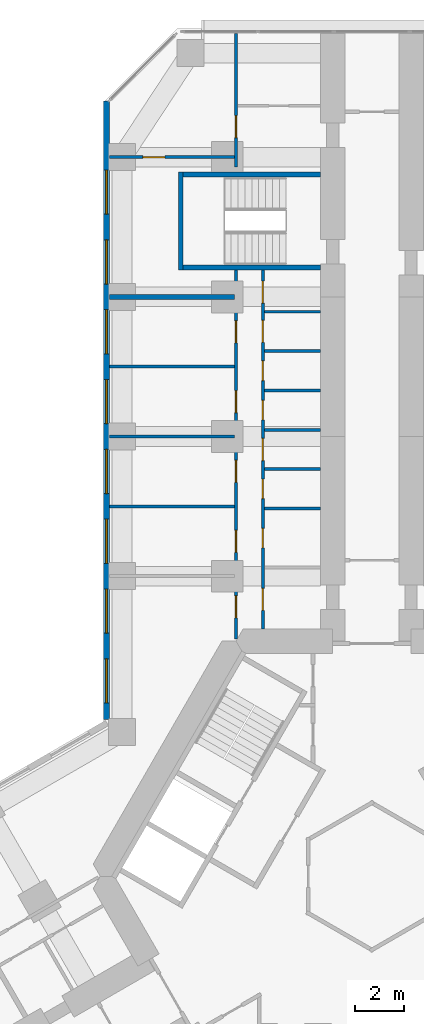
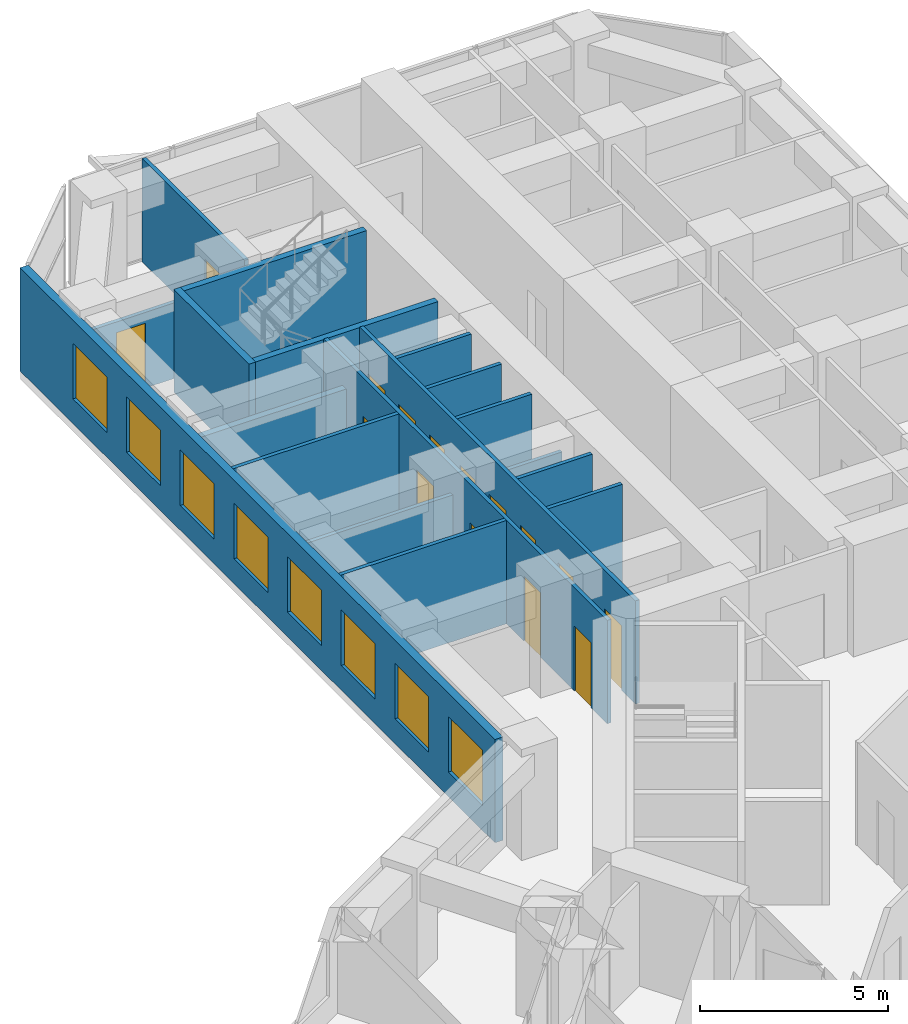
# One storey, part 17 of 21: 18 walls, 15 doors, 8 windows, 23 openings.
"""IFC4 building model written with IfcOpenShell, lengths in metres."""

from ifc_helpers import new_model, si_unit, direction, frame, frame_2d, origin, place, context, subcontext, project, spatial, rectangle, extrude, material, layer, layer_set, type_object, element, fill, save


model = new_model("IFC4")

# Units and contexts
model_context = context("Model", 3, precision=1e-05, world=origin(), true_north=direction((0.0, 1.0)))
body_context = subcontext(model_context, "Body", "Model", "MODEL_VIEW")
ifc_project = project(units=[si_unit("LENGTHUNIT", "METRE"), si_unit("AREAUNIT", "SQUARE_METRE"), si_unit("VOLUMEUNIT", "CUBIC_METRE"), si_unit("PLANEANGLEUNIT", "RADIAN"), si_unit("MASSUNIT", "GRAM", prefix="KILO")], contexts=[model_context])

# Site, building, storey
site_placement = place(None, origin())
site = spatial("IfcSite", under=ifc_project, at=site_placement, CompositionType="ELEMENT")
building_placement = place(site_placement, origin())
building = spatial("IfcBuilding", under=site, at=building_placement, Name="Kosmar Iwan School Tower", CompositionType="ELEMENT")
storey_placement = place(building_placement, frame((0.0, 0.0, 39.39990234375)))
storey = spatial("IfcBuildingStorey", under=building, at=storey_placement, Name="L08", CompositionType="ELEMENT", Elevation=39.39990234375)

# Wall, openings, doors
ifc_material_1 = material(Name="Gypsum board on steel studs", Category="steel")
ifc_layer_1 = layer(ifc_material_1, 0.1201171875)
ifc_layer_set_1 = layer_set([ifc_layer_1], Name="Dwelling partition 120")
wall_type_1 = type_object("IfcWallType", Name="Dwelling partition 120", PredefinedType="PARTITIONING", material=ifc_layer_set_1)
wall_1_placement = place(storey_placement, frame((-4.449951171875, 10.10009765625, 0.0), z_axis=(0.0, 0.0, 1.0), x_axis=(0.0, 1.0, 0.0)))
wall_1 = element("IfcWall", 1, at=wall_1_placement, inside=storey, type_object=wall_type_1, Name="Partition L08-AL1-W1", PredefinedType="PARTITIONING", context=body_context, shape_type="SweptSolid", body=[
    extrude(rectangle(XDim=14.64990234375, YDim=0.1201171875, at=frame_2d((7.324951171875, 0.0))), origin(), (0.0, 0.0, 1.0), 3.35009765625),
])
opening_1_placement = place(wall_1_placement, frame((0.75, 0.0, 0.0)))
opening_1 = element("IfcOpeningElement", 2, at=opening_1_placement, cuts=wall_1, Name="Opening D2", PredefinedType="OPENING", context=body_context, shape_type="SweptSolid", body=[
    extrude(rectangle(XDim=0.89990234375, YDim=2.10009765625, at=frame_2d((0.449951171875, 1.050048828125))), frame((0.0, 0.072021484375, 0.0), z_axis=(0.0, -1.0, 0.0), x_axis=(1.0, 0.0, 0.0)), (0.0, 0.0, 1.0), 0.14404296875),
])
opening_2_placement = place(wall_1_placement, frame((3.304931640625, 0.0, 0.0)))
opening_2 = element("IfcOpeningElement", 3, at=opening_2_placement, cuts=wall_1, Name="Opening D3", PredefinedType="OPENING", context=body_context, shape_type="SweptSolid", body=[
    extrude(rectangle(XDim=0.800048828125, YDim=2.10009765625, at=frame_2d((0.39990234375, 1.050048828125))), frame((0.0, 0.072021484375, 0.0), z_axis=(0.0, -1.0, 0.0), x_axis=(1.0, 0.0, 0.0)), (0.0, 0.0, 1.0), 0.14404296875),
])
opening_3_placement = place(wall_1_placement, frame((5.313232421875, 0.0, 0.0)))
opening_3 = element("IfcOpeningElement", 4, at=opening_3_placement, cuts=wall_1, Name="Opening D3", PredefinedType="OPENING", context=body_context, shape_type="SweptSolid", body=[
    extrude(rectangle(XDim=0.800048828125, YDim=2.10009765625, at=frame_2d((0.39990234375, 1.050048828125))), frame((0.0, 0.072021484375, 0.0), z_axis=(0.0, -1.0, 0.0), x_axis=(1.0, 0.0, 0.0)), (0.0, 0.0, 1.0), 0.14404296875),
])
opening_4_placement = place(wall_1_placement, frame((6.8701171875, 0.0, 0.0)))
opening_4 = element("IfcOpeningElement", 5, at=opening_4_placement, cuts=wall_1, Name="Opening D2", PredefinedType="OPENING", context=body_context, shape_type="SweptSolid", body=[
    extrude(rectangle(XDim=0.89990234375, YDim=2.10009765625, at=frame_2d((0.449951171875, 1.050048828125))), frame((0.0, 0.072021484375, 0.0), z_axis=(0.0, -1.0, 0.0), x_axis=(1.0, 0.0, 0.0)), (0.0, 0.0, 1.0), 0.14404296875),
])
opening_5_placement = place(wall_1_placement, frame((8.526611328125, 0.0, 0.0)))
opening_5 = element("IfcOpeningElement", 6, at=opening_5_placement, cuts=wall_1, Name="Opening D3", PredefinedType="OPENING", context=body_context, shape_type="SweptSolid", body=[
    extrude(rectangle(XDim=0.800048828125, YDim=2.10009765625, at=frame_2d((0.39990234375, 1.050048828125))), frame((0.0, 0.072021484375, 0.0), z_axis=(0.0, -1.0, 0.0), x_axis=(1.0, 0.0, 0.0)), (0.0, 0.0, 1.0), 0.14404296875),
])
opening_6_placement = place(wall_1_placement, frame((10.13330078125, 0.0, 0.0)))
opening_6 = element("IfcOpeningElement", 7, at=opening_6_placement, cuts=wall_1, Name="Opening D3", PredefinedType="OPENING", context=body_context, shape_type="SweptSolid", body=[
    extrude(rectangle(XDim=0.800048828125, YDim=2.10009765625, at=frame_2d((0.39990234375, 1.050048828125))), frame((0.0, 0.072021484375, 0.0), z_axis=(0.0, -1.0, 0.0), x_axis=(1.0, 0.0, 0.0)), (0.0, 0.0, 1.0), 0.14404296875),
])
opening_7_placement = place(wall_1_placement, frame((11.68994140625, 0.0, 0.0)))
opening_7 = element("IfcOpeningElement", 8, at=opening_7_placement, cuts=wall_1, Name="Opening D2", PredefinedType="OPENING", context=body_context, shape_type="SweptSolid", body=[
    extrude(rectangle(XDim=0.89990234375, YDim=2.10009765625, at=frame_2d((0.449951171875, 1.050048828125))), frame((0.0, 0.072021484375, 0.0), z_axis=(0.0, -1.0, 0.0), x_axis=(1.0, 0.0, 0.0)), (0.0, 0.0, 1.0), 0.14404296875),
])
opening_8_placement = place(wall_1_placement, frame((13.296630859375, 0.0, 0.0)))
opening_8 = element("IfcOpeningElement", 9, at=opening_8_placement, cuts=wall_1, Name="Opening D2", PredefinedType="OPENING", context=body_context, shape_type="SweptSolid", body=[
    extrude(rectangle(XDim=0.89990234375, YDim=2.10009765625, at=frame_2d((0.449951171875, 1.050048828125))), frame((0.0, 0.072021484375, 0.0), z_axis=(0.0, -1.0, 0.0), x_axis=(1.0, 0.0, 0.0)), (0.0, 0.0, 1.0), 0.14404296875),
])
ifc_material_2 = material(Name="Timber door in timber frame", Category="wood")
door_type_1 = type_object("IfcDoorType", Name="Internal door 900x2100", OperationType="SINGLE_SWING_LEFT", PredefinedType="DOOR", material=ifc_material_2)
door_1_placement = place(opening_1_placement, origin())
door_1 = element("IfcDoor", 10, at=door_1_placement, inside=storey, type_object=door_type_1, Name="Entrance hall door L08-AL1-S1", OperationType="SINGLE_SWING_LEFT", OverallHeight=2.10009765625, OverallWidth=0.89990234375, PredefinedType="DOOR", context=body_context, shape_type="SweptSolid", body=[
    extrude(rectangle(XDim=0.89990234375, YDim=2.10009765625, at=frame_2d((0.449951171875, 1.050048828125))), frame((0.0, 0.02490234375, 0.0), z_axis=(0.0, -1.0, 0.0), x_axis=(1.0, 0.0, 0.0)), (0.0, 0.0, 1.0), 0.050048828125),
])
fill(opening_1, door_1)
door_2_placement = place(opening_4_placement, frame((0.89990234375, 0.0, 0.0), z_axis=(0.0, 0.0, 1.0), x_axis=(-1.0, 0.0, 0.0)))
door_2 = element("IfcDoor", 11, at=door_2_placement, inside=storey, type_object=door_type_1, Name="Pantry door L08-AL1-S4", OperationType="SINGLE_SWING_LEFT", OverallHeight=2.10009765625, OverallWidth=0.89990234375, PredefinedType="DOOR", context=body_context, shape_type="SweptSolid", body=[
    extrude(rectangle(XDim=0.89990234375, YDim=2.10009765625, at=frame_2d((0.449951171875, 1.050048828125))), frame((0.0, 0.02490234375, 0.0), z_axis=(0.0, -1.0, 0.0), x_axis=(1.0, 0.0, 0.0)), (0.0, 0.0, 1.0), 0.050048828125),
])
fill(opening_4, door_2)
door_3_placement = place(opening_7_placement, origin())
door_3 = element("IfcDoor", 12, at=door_3_placement, inside=storey, type_object=door_type_1, Name="Utility room door L08-AL1-S7", OperationType="SINGLE_SWING_RIGHT", OverallHeight=2.10009765625, OverallWidth=0.89990234375, PredefinedType="DOOR", context=body_context, shape_type="SweptSolid", body=[
    extrude(rectangle(XDim=0.89990234375, YDim=2.10009765625, at=frame_2d((0.449951171875, 1.050048828125))), frame((0.0, 0.02490234375, 0.0), z_axis=(0.0, -1.0, 0.0), x_axis=(1.0, 0.0, 0.0)), (0.0, 0.0, 1.0), 0.050048828125),
])
fill(opening_7, door_3)
door_4_placement = place(opening_8_placement, frame((0.89990234375, 0.0, 0.0), z_axis=(0.0, 0.0, 1.0), x_axis=(-1.0, 0.0, 0.0)))
door_4 = element("IfcDoor", 13, at=door_4_placement, inside=storey, type_object=door_type_1, Name="Dressing room door L08-AL1-S8", OperationType="SINGLE_SWING_LEFT", OverallHeight=2.10009765625, OverallWidth=0.89990234375, PredefinedType="DOOR", context=body_context, shape_type="SweptSolid", body=[
    extrude(rectangle(XDim=0.89990234375, YDim=2.10009765625, at=frame_2d((0.449951171875, 1.050048828125))), frame((0.0, 0.02490234375, 0.0), z_axis=(0.0, -1.0, 0.0), x_axis=(1.0, 0.0, 0.0)), (0.0, 0.0, 1.0), 0.050048828125),
])
fill(opening_8, door_4)
ifc_material_3 = material(Name="Timber door in timber frame", Category="wood")
door_type_2 = type_object("IfcDoorType", Name="Sanitary room door 800x2100", OperationType="SINGLE_SWING_LEFT", PredefinedType="DOOR", material=ifc_material_3)
door_5_placement = place(opening_2_placement, origin())
door_5 = element("IfcDoor", 14, at=door_5_placement, inside=storey, type_object=door_type_2, Name="Bathroom door L08-AL1-S2", OperationType="SINGLE_SWING_LEFT", OverallHeight=2.10009765625, OverallWidth=0.800048828125, PredefinedType="DOOR", context=body_context, shape_type="SweptSolid", body=[
    extrude(rectangle(XDim=0.800048828125, YDim=2.10009765625, at=frame_2d((0.39990234375, 1.050048828125))), frame((0.0, 0.02490234375, 0.0), z_axis=(0.0, -1.0, 0.0), x_axis=(1.0, 0.0, 0.0)), (0.0, 0.0, 1.0), 0.050048828125),
])
fill(opening_2, door_5)
door_6_placement = place(opening_3_placement, origin())
door_6 = element("IfcDoor", 15, at=door_6_placement, inside=storey, type_object=door_type_2, Name="Shower room door L08-AL1-S3", OperationType="SINGLE_SWING_LEFT", OverallHeight=2.10009765625, OverallWidth=0.800048828125, PredefinedType="DOOR", context=body_context, shape_type="SweptSolid", body=[
    extrude(rectangle(XDim=0.800048828125, YDim=2.10009765625, at=frame_2d((0.39990234375, 1.050048828125))), frame((0.0, 0.02490234375, 0.0), z_axis=(0.0, -1.0, 0.0), x_axis=(1.0, 0.0, 0.0)), (0.0, 0.0, 1.0), 0.050048828125),
])
fill(opening_3, door_6)
door_7_placement = place(opening_5_placement, origin())
door_7 = element("IfcDoor", 16, at=door_7_placement, inside=storey, type_object=door_type_2, Name="WC door L08-AL1-S5", OperationType="SINGLE_SWING_RIGHT", OverallHeight=2.10009765625, OverallWidth=0.800048828125, PredefinedType="DOOR", context=body_context, shape_type="SweptSolid", body=[
    extrude(rectangle(XDim=0.800048828125, YDim=2.10009765625, at=frame_2d((0.39990234375, 1.050048828125))), frame((0.0, 0.02490234375, 0.0), z_axis=(0.0, -1.0, 0.0), x_axis=(1.0, 0.0, 0.0)), (0.0, 0.0, 1.0), 0.050048828125),
])
fill(opening_5, door_7)
door_8_placement = place(opening_6_placement, origin())
door_8 = element("IfcDoor", 17, at=door_8_placement, inside=storey, type_object=door_type_2, Name="Store door L08-AL1-S6", OperationType="SINGLE_SWING_RIGHT", OverallHeight=2.10009765625, OverallWidth=0.800048828125, PredefinedType="DOOR", context=body_context, shape_type="SweptSolid", body=[
    extrude(rectangle(XDim=0.800048828125, YDim=2.10009765625, at=frame_2d((0.39990234375, 1.050048828125))), frame((0.0, 0.02490234375, 0.0), z_axis=(0.0, -1.0, 0.0), x_axis=(1.0, 0.0, 0.0)), (0.0, 0.0, 1.0), 0.050048828125),
])
fill(opening_6, door_8)

wall_2_placement = place(storey_placement, frame((-5.550048828125, 9.69091796875, 0.0), z_axis=(0.0, 0.0, 1.0), x_axis=(0.0, 1.0, 0.0)))
wall_2 = element("IfcWall", 18, at=wall_2_placement, inside=storey, type_object=wall_type_1, Name="Partition L08-AL1-W2", PredefinedType="PARTITIONING", context=body_context, shape_type="SweptSolid", body=[
    extrude(rectangle(XDim=15.05908203125, YDim=0.1201171875, at=frame_2d((7.529541015625, 0.0))), origin(), (0.0, 0.0, 1.0), 3.35009765625),
])
opening_9_placement = place(wall_2_placement, frame((0.85888671875, 0.0, 0.0)))
opening_9 = element("IfcOpeningElement", 19, at=opening_9_placement, cuts=wall_2, Name="Opening D2", PredefinedType="OPENING", context=body_context, shape_type="SweptSolid", body=[
    extrude(rectangle(XDim=0.89990234375, YDim=2.10009765625, at=frame_2d((0.449951171875, 1.050048828125))), frame((0.0, 0.072021484375, 0.0), z_axis=(0.0, -1.0, 0.0), x_axis=(1.0, 0.0, 0.0)), (0.0, 0.0, 1.0), 0.14404296875),
])
opening_10_placement = place(wall_2_placement, frame((3.533935546875, 0.0, 0.0)))
opening_10 = element("IfcOpeningElement", 20, at=opening_10_placement, cuts=wall_2, Name="Opening D2", PredefinedType="OPENING", context=body_context, shape_type="SweptSolid", body=[
    extrude(rectangle(XDim=0.89990234375, YDim=2.10009765625, at=frame_2d((0.449951171875, 1.050048828125))), frame((0.0, 0.072021484375, 0.0), z_axis=(0.0, -1.0, 0.0), x_axis=(1.0, 0.0, 0.0)), (0.0, 0.0, 1.0), 0.14404296875),
])
opening_11_placement = place(wall_2_placement, frame((6.384033203125, 0.0, 0.0)))
opening_11 = element("IfcOpeningElement", 21, at=opening_11_placement, cuts=wall_2, Name="Opening D2", PredefinedType="OPENING", context=body_context, shape_type="SweptSolid", body=[
    extrude(rectangle(XDim=0.89990234375, YDim=2.10009765625, at=frame_2d((0.449951171875, 1.050048828125))), frame((0.0, 0.072021484375, 0.0), z_axis=(0.0, -1.0, 0.0), x_axis=(1.0, 0.0, 0.0)), (0.0, 0.0, 1.0), 0.14404296875),
])
opening_12_placement = place(wall_2_placement, frame((9.23388671875, 0.0, 0.0)))
opening_12 = element("IfcOpeningElement", 22, at=opening_12_placement, cuts=wall_2, Name="Opening D2", PredefinedType="OPENING", context=body_context, shape_type="SweptSolid", body=[
    extrude(rectangle(XDim=0.89990234375, YDim=2.10009765625, at=frame_2d((0.449951171875, 1.050048828125))), frame((0.0, 0.072021484375, 0.0), z_axis=(0.0, -1.0, 0.0), x_axis=(1.0, 0.0, 0.0)), (0.0, 0.0, 1.0), 0.14404296875),
])
opening_13_placement = place(wall_2_placement, frame((12.083984375, 0.0, 0.0)))
opening_13 = element("IfcOpeningElement", 23, at=opening_13_placement, cuts=wall_2, Name="Opening D2", PredefinedType="OPENING", context=body_context, shape_type="SweptSolid", body=[
    extrude(rectangle(XDim=0.89990234375, YDim=2.10009765625, at=frame_2d((0.449951171875, 1.050048828125))), frame((0.0, 0.072021484375, 0.0), z_axis=(0.0, -1.0, 0.0), x_axis=(1.0, 0.0, 0.0)), (0.0, 0.0, 1.0), 0.14404296875),
])
door_9_placement = place(opening_9_placement, origin())
door_9 = element("IfcDoor", 24, at=door_9_placement, inside=storey, type_object=door_type_1, Name="Living room and kitchen door L08-AL1-F1", OperationType="SINGLE_SWING_LEFT", OverallHeight=2.10009765625, OverallWidth=0.89990234375, PredefinedType="DOOR", context=body_context, shape_type="SweptSolid", body=[
    extrude(rectangle(XDim=0.89990234375, YDim=2.10009765625, at=frame_2d((0.449951171875, 1.050048828125))), frame((0.0, 0.02490234375, 0.0), z_axis=(0.0, -1.0, 0.0), x_axis=(1.0, 0.0, 0.0)), (0.0, 0.0, 1.0), 0.050048828125),
])
fill(opening_9, door_9)
door_10_placement = place(opening_10_placement, origin())
door_10 = element("IfcDoor", 25, at=door_10_placement, inside=storey, type_object=door_type_1, Name="Study door L08-AL1-F2", OperationType="SINGLE_SWING_RIGHT", OverallHeight=2.10009765625, OverallWidth=0.89990234375, PredefinedType="DOOR", context=body_context, shape_type="SweptSolid", body=[
    extrude(rectangle(XDim=0.89990234375, YDim=2.10009765625, at=frame_2d((0.449951171875, 1.050048828125))), frame((0.0, 0.02490234375, 0.0), z_axis=(0.0, -1.0, 0.0), x_axis=(1.0, 0.0, 0.0)), (0.0, 0.0, 1.0), 0.050048828125),
])
fill(opening_10, door_10)
door_11_placement = place(opening_11_placement, origin())
door_11 = element("IfcDoor", 26, at=door_11_placement, inside=storey, type_object=door_type_1, Name="Bedroom 2 door L08-AL1-F3", OperationType="SINGLE_SWING_LEFT", OverallHeight=2.10009765625, OverallWidth=0.89990234375, PredefinedType="DOOR", context=body_context, shape_type="SweptSolid", body=[
    extrude(rectangle(XDim=0.89990234375, YDim=2.10009765625, at=frame_2d((0.449951171875, 1.050048828125))), frame((0.0, 0.02490234375, 0.0), z_axis=(0.0, -1.0, 0.0), x_axis=(1.0, 0.0, 0.0)), (0.0, 0.0, 1.0), 0.050048828125),
])
fill(opening_11, door_11)
door_12_placement = place(opening_12_placement, origin())
door_12 = element("IfcDoor", 27, at=door_12_placement, inside=storey, type_object=door_type_1, Name="Study door L08-AL1-F4", OperationType="SINGLE_SWING_RIGHT", OverallHeight=2.10009765625, OverallWidth=0.89990234375, PredefinedType="DOOR", context=body_context, shape_type="SweptSolid", body=[
    extrude(rectangle(XDim=0.89990234375, YDim=2.10009765625, at=frame_2d((0.449951171875, 1.050048828125))), frame((0.0, 0.02490234375, 0.0), z_axis=(0.0, -1.0, 0.0), x_axis=(1.0, 0.0, 0.0)), (0.0, 0.0, 1.0), 0.050048828125),
])
fill(opening_12, door_12)
door_13_placement = place(opening_13_placement, origin())
door_13 = element("IfcDoor", 28, at=door_13_placement, inside=storey, type_object=door_type_1, Name="Bedroom 1 door L08-AL1-F5", OperationType="SINGLE_SWING_LEFT", OverallHeight=2.10009765625, OverallWidth=0.89990234375, PredefinedType="DOOR", context=body_context, shape_type="SweptSolid", body=[
    extrude(rectangle(XDim=0.89990234375, YDim=2.10009765625, at=frame_2d((0.449951171875, 1.050048828125))), frame((0.0, 0.02490234375, 0.0), z_axis=(0.0, -1.0, 0.0), x_axis=(1.0, 0.0, 0.0)), (0.0, 0.0, 1.0), 0.050048828125),
])
fill(opening_13, door_13)

# Walls
wall_3_placement = place(storey_placement, frame((-5.610107421875, 15.10009765625, 0.0), z_axis=(0.0, 0.0, 1.0), x_axis=(-1.0, 0.0, 0.0)))
element("IfcWall", 29, at=wall_3_placement, inside=storey, type_object=wall_type_1, Name="Partition L08-AL1-X2", PredefinedType="PARTITIONING", context=body_context, shape_type="SweptSolid", body=[
    extrude(rectangle(XDim=5.08984375, YDim=0.1201171875, at=frame_2d((2.544921875, 0.0))), origin(), (0.0, 0.0, 1.0), 3.35009765625),
])
wall_4_placement = place(storey_placement, frame((-5.610107421875, 17.949951171875, 0.0), z_axis=(0.0, 0.0, 1.0), x_axis=(-1.0, 0.0, 0.0)))
element("IfcWall", 30, at=wall_4_placement, inside=storey, type_object=wall_type_1, Name="Partition L08-AL1-X3", PredefinedType="PARTITIONING", context=body_context, shape_type="SweptSolid", body=[
    extrude(rectangle(XDim=5.08984375, YDim=0.1201171875, at=frame_2d((2.544921875, 0.0))), origin(), (0.0, 0.0, 1.0), 2.4501953125),
])
wall_5_placement = place(storey_placement, frame((-5.610107421875, 20.800048828125, 0.0), z_axis=(0.0, 0.0, 1.0), x_axis=(-1.0, 0.0, 0.0)))
element("IfcWall", 31, at=wall_5_placement, inside=storey, type_object=wall_type_1, Name="Partition L08-AL1-X4", PredefinedType="PARTITIONING", context=body_context, shape_type="SweptSolid", body=[
    extrude(rectangle(XDim=5.08984375, YDim=0.1201171875, at=frame_2d((2.544921875, 0.0))), origin(), (0.0, 0.0, 1.0), 3.35009765625),
])
for number, where, z_axis, x_axis, name in (
    (32, (-2.10009765625, 15.010009765625, 0.0), (0.0, 0.0, 1.0), (-1.0, 0.0, 0.0), "Partition L08-AL1-Y2"),
    (33, (-2.10009765625, 16.61669921875, 0.0), (0.0, 0.0, 1.0), (-1.0, 0.0, 0.0), "Partition L08-AL1-Y3"),
):
    element("IfcWall", number, at=place(storey_placement, frame(where, z_axis=z_axis, x_axis=x_axis)), inside=storey, type_object=wall_type_1, Name=name, PredefinedType="PARTITIONING", context=body_context, shape_type="SweptSolid", body=[
        extrude(rectangle(XDim=2.289794921875, YDim=0.1201171875, at=frame_2d((1.14501953125, 0.0))), origin(), (0.0, 0.0, 1.0), 3.35009765625),
    ])
wall_6_placement = place(storey_placement, frame((-2.10009765625, 18.223388671875, 0.0), z_axis=(0.0, 0.0, 1.0), x_axis=(-1.0, 0.0, 0.0)))
element("IfcWall", 34, at=wall_6_placement, inside=storey, type_object=wall_type_1, Name="Partition L08-AL1-Y4", PredefinedType="PARTITIONING", context=body_context, shape_type="SweptSolid", body=[
    extrude(rectangle(XDim=2.289794921875, YDim=0.1201171875, at=frame_2d((1.14501953125, 0.0))), origin(), (0.0, 0.0, 1.0), 2.4501953125),
])
for number, where, z_axis, x_axis, name in (
    (35, (-2.10009765625, 19.830078125, 0.0), (0.0, 0.0, 1.0), (-1.0, 0.0, 0.0), "Partition L08-AL1-Y5"),
    (36, (-2.10009765625, 21.436767578125, 0.0), (0.0, 0.0, 1.0), (-1.0, 0.0, 0.0), "Partition L08-AL1-Y6"),
    (37, (-2.10009765625, 23.043212890625, 0.0), (0.0, 0.0, 1.0), (-1.0, 0.0, 0.0), "Partition L08-AL1-Y7"),
):
    element("IfcWall", number, at=place(storey_placement, frame(where, z_axis=z_axis, x_axis=x_axis)), inside=storey, type_object=wall_type_1, Name=name, PredefinedType="PARTITIONING", context=body_context, shape_type="SweptSolid", body=[
        extrude(rectangle(XDim=2.289794921875, YDim=0.1201171875, at=frame_2d((1.14501953125, 0.0))), origin(), (0.0, 0.0, 1.0), 3.35009765625),
    ])

# Wall, opening, door
wall_7_placement = place(storey_placement, frame((-5.610107421875, 29.35009765625, 0.0), z_axis=(0.0, 0.0, 1.0), x_axis=(-1.0, 0.0, 0.0)))
wall_7 = element("IfcWall", 38, at=wall_7_placement, inside=storey, type_object=wall_type_1, Name="Partition L08-AL2-TX", PredefinedType="PARTITIONING", context=body_context, shape_type="SweptSolid", body=[
    extrude(rectangle(XDim=5.08984375, YDim=0.1201171875, at=frame_2d((2.544921875, 0.0))), origin(), (0.0, 0.0, 1.0), 2.4501953125),
])
opening_14_placement = place(wall_7_placement, frame((2.840087890625, 0.0, 0.0)))
opening_14 = element("IfcOpeningElement", 39, at=opening_14_placement, cuts=wall_7, Name="Opening D2", PredefinedType="OPENING", context=body_context, shape_type="SweptSolid", body=[
    extrude(rectangle(XDim=0.89990234375, YDim=2.10009765625, at=frame_2d((0.449951171875, 1.050048828125))), frame((0.0, 0.072021484375, 0.0), z_axis=(0.0, -1.0, 0.0), x_axis=(1.0, 0.0, 0.0)), (0.0, 0.0, 1.0), 0.14404296875),
])
door_14_placement = place(opening_14_placement, origin())
door_14 = element("IfcDoor", 40, at=door_14_placement, inside=storey, type_object=door_type_1, Name="Bedroom 1 door L08-AL2-T1", OperationType="SINGLE_SWING_RIGHT", OverallHeight=2.10009765625, OverallWidth=0.89990234375, PredefinedType="DOOR", context=body_context, shape_type="SweptSolid", body=[
    extrude(rectangle(XDim=0.89990234375, YDim=2.10009765625, at=frame_2d((0.449951171875, 1.050048828125))), frame((0.0, 0.02490234375, 0.0), z_axis=(0.0, -1.0, 0.0), x_axis=(1.0, 0.0, 0.0)), (0.0, 0.0, 1.0), 0.050048828125),
])
fill(opening_14, door_14)

wall_8_placement = place(storey_placement, frame((-5.550048828125, 28.949951171875, 0.0), z_axis=(0.0, 0.0, 1.0), x_axis=(0.0, 1.0, 0.0)))
wall_8 = element("IfcWall", 41, at=wall_8_placement, inside=storey, type_object=wall_type_1, Name="Partition L08-AL2-TW", PredefinedType="PARTITIONING", context=body_context, shape_type="SweptSolid", body=[
    extrude(rectangle(XDim=5.445068359375, YDim=0.1201171875, at=frame_2d((2.72265625, 0.0))), origin(), (0.0, 0.0, 1.0), 3.35009765625),
])
opening_15_placement = place(wall_8_placement, frame((1.199951171875, 0.0, 0.0)))
opening_15 = element("IfcOpeningElement", 42, at=opening_15_placement, cuts=wall_8, Name="Opening D2", PredefinedType="OPENING", context=body_context, shape_type="SweptSolid", body=[
    extrude(rectangle(XDim=0.89990234375, YDim=2.10009765625, at=frame_2d((0.449951171875, 1.050048828125))), frame((0.0, 0.072021484375, 0.0), z_axis=(0.0, -1.0, 0.0), x_axis=(1.0, 0.0, 0.0)), (0.0, 0.0, 1.0), 0.14404296875),
])
door_15_placement = place(opening_15_placement, origin())
door_15 = element("IfcDoor", 43, at=door_15_placement, inside=storey, type_object=door_type_1, Name="Entrance hall door L08-AL2-T3", OperationType="SINGLE_SWING_LEFT", OverallHeight=2.10009765625, OverallWidth=0.89990234375, PredefinedType="DOOR", context=body_context, shape_type="SweptSolid", body=[
    extrude(rectangle(XDim=0.89990234375, YDim=2.10009765625, at=frame_2d((0.449951171875, 1.050048828125))), frame((0.0, 0.02490234375, 0.0), z_axis=(0.0, -1.0, 0.0), x_axis=(1.0, 0.0, 0.0)), (0.0, 0.0, 1.0), 0.050048828125),
])
fill(opening_15, door_15)

# Walls
ifc_material_4 = material(Name="Concrete C35/45", Category="concrete")
ifc_layer_2 = layer(ifc_material_4, 0.199951171875)
ifc_layer_set_2 = layer_set([ifc_layer_2], Name="Escape stair wall 200")
wall_type_2 = type_object("IfcWallType", Name="Escape stair wall 200", PredefinedType="SHEAR", material=ifc_layer_set_2)
for number, where, z_axis, x_axis, name in (
    (44, (-2.10009765625, 24.85009765625, 0.0), (0.0, 0.0, 1.0), (-1.0, 0.0, 0.0), "Stair WS1 wall"),
    (45, (-2.10009765625, 28.64990234375, 0.0), (0.0, 0.0, 1.0), (-1.0, 0.0, 0.0), "Stair WS1 wall"),
):
    element("IfcWall", number, at=place(storey_placement, frame(where, z_axis=z_axis, x_axis=x_axis)), inside=storey, type_object=wall_type_2, Name=name, PredefinedType="SHEAR", context=body_context, shape_type="SweptSolid", body=[
        extrude(rectangle(XDim=5.7998046875, YDim=0.199951171875, at=frame_2d((2.89990234375, 0.0))), origin(), (0.0, 0.0, 1.0), 3.330078125),
    ])
wall_9_placement = place(storey_placement, frame((-7.800048828125, 24.75, 0.0), z_axis=(0.0, 0.0, 1.0), x_axis=(0.0, 1.0, 0.0)))
element("IfcWall", 46, at=wall_9_placement, inside=storey, type_object=wall_type_2, Name="Stair WS1 wall", PredefinedType="SHEAR", context=body_context, shape_type="SweptSolid", body=[
    extrude(rectangle(XDim=4.0, YDim=0.199951171875, at=frame_2d((2.0, 0.0))), origin(), (0.0, 0.0, 1.0), 3.330078125),
])

# Wall, openings, windows
ifc_material_5 = material(Name="Black aluminium rainscreen on insulated framing", Category="aluminium")
ifc_layer_3 = layer(ifc_material_5, 0.25)
ifc_layer_set_3 = layer_set([ifc_layer_3], Name="External wall rainscreen 250")
wall_type_3 = type_object("IfcWallType", Name="External wall rainscreen 250", PredefinedType="SOLIDWALL", material=ifc_layer_set_3)
wall_10_placement = place(storey_placement, frame((-10.824951171875, 6.408935546875, 0.0), z_axis=(0.0, 0.0, 1.0), x_axis=(0.0, 1.0, 0.0)))
wall_10 = element("IfcWall", 47, at=wall_10_placement, inside=storey, type_object=wall_type_3, Name="External wall AL L08", PredefinedType="SOLIDWALL", context=body_context, shape_type="SweptSolid", body=[
    extrude(rectangle(XDim=25.226318359375, YDim=0.25, at=frame_2d((12.61328125, 0.0))), origin(), (0.0, 0.0, 1.0), 3.35009765625),
])
opening_16_placement = place(wall_10_placement, frame((0.666015625, 0.0, 0.800048828125)))
opening_16 = element("IfcOpeningElement", 48, at=opening_16_placement, cuts=wall_10, Name="Opening W1", PredefinedType="OPENING", context=body_context, shape_type="SweptSolid", body=[
    extrude(rectangle(XDim=1.800048828125, YDim=1.800048828125, at=frame_2d((0.89990234375, 0.89990234375))), frame((0.0, 0.136962890625, 0.0), z_axis=(0.0, -1.0, 0.0), x_axis=(1.0, 0.0, 0.0)), (0.0, 0.0, 1.0), 0.27392578125),
])
opening_17_placement = place(wall_10_placement, frame((3.51611328125, 0.0, 0.800048828125)))
opening_17 = element("IfcOpeningElement", 49, at=opening_17_placement, cuts=wall_10, Name="Opening W1", PredefinedType="OPENING", context=body_context, shape_type="SweptSolid", body=[
    extrude(rectangle(XDim=1.800048828125, YDim=1.800048828125, at=frame_2d((0.89990234375, 0.89990234375))), frame((0.0, 0.136962890625, 0.0), z_axis=(0.0, -1.0, 0.0), x_axis=(1.0, 0.0, 0.0)), (0.0, 0.0, 1.0), 0.27392578125),
])
opening_18_placement = place(wall_10_placement, frame((6.365966796875, 0.0, 0.800048828125)))
opening_18 = element("IfcOpeningElement", 50, at=opening_18_placement, cuts=wall_10, Name="Opening W1", PredefinedType="OPENING", context=body_context, shape_type="SweptSolid", body=[
    extrude(rectangle(XDim=1.800048828125, YDim=1.800048828125, at=frame_2d((0.89990234375, 0.89990234375))), frame((0.0, 0.136962890625, 0.0), z_axis=(0.0, -1.0, 0.0), x_axis=(1.0, 0.0, 0.0)), (0.0, 0.0, 1.0), 0.27392578125),
])
opening_19_placement = place(wall_10_placement, frame((9.216064453125, 0.0, 0.800048828125)))
opening_19 = element("IfcOpeningElement", 51, at=opening_19_placement, cuts=wall_10, Name="Opening W1", PredefinedType="OPENING", context=body_context, shape_type="SweptSolid", body=[
    extrude(rectangle(XDim=1.800048828125, YDim=1.800048828125, at=frame_2d((0.89990234375, 0.89990234375))), frame((0.0, 0.136962890625, 0.0), z_axis=(0.0, -1.0, 0.0), x_axis=(1.0, 0.0, 0.0)), (0.0, 0.0, 1.0), 0.27392578125),
])
opening_20_placement = place(wall_10_placement, frame((12.06591796875, 0.0, 0.800048828125)))
opening_20 = element("IfcOpeningElement", 52, at=opening_20_placement, cuts=wall_10, Name="Opening W1", PredefinedType="OPENING", context=body_context, shape_type="SweptSolid", body=[
    extrude(rectangle(XDim=1.800048828125, YDim=1.800048828125, at=frame_2d((0.89990234375, 0.89990234375))), frame((0.0, 0.136962890625, 0.0), z_axis=(0.0, -1.0, 0.0), x_axis=(1.0, 0.0, 0.0)), (0.0, 0.0, 1.0), 0.27392578125),
])
opening_21_placement = place(wall_10_placement, frame((14.916015625, 0.0, 0.800048828125)))
opening_21 = element("IfcOpeningElement", 53, at=opening_21_placement, cuts=wall_10, Name="Opening W1", PredefinedType="OPENING", context=body_context, shape_type="SweptSolid", body=[
    extrude(rectangle(XDim=1.800048828125, YDim=1.800048828125, at=frame_2d((0.89990234375, 0.89990234375))), frame((0.0, 0.136962890625, 0.0), z_axis=(0.0, -1.0, 0.0), x_axis=(1.0, 0.0, 0.0)), (0.0, 0.0, 1.0), 0.27392578125),
])
opening_22_placement = place(wall_10_placement, frame((17.76611328125, 0.0, 0.800048828125)))
opening_22 = element("IfcOpeningElement", 54, at=opening_22_placement, cuts=wall_10, Name="Opening W1", PredefinedType="OPENING", context=body_context, shape_type="SweptSolid", body=[
    extrude(rectangle(XDim=1.800048828125, YDim=1.800048828125, at=frame_2d((0.89990234375, 0.89990234375))), frame((0.0, 0.136962890625, 0.0), z_axis=(0.0, -1.0, 0.0), x_axis=(1.0, 0.0, 0.0)), (0.0, 0.0, 1.0), 0.27392578125),
])
opening_23_placement = place(wall_10_placement, frame((20.615966796875, 0.0, 0.800048828125)))
opening_23 = element("IfcOpeningElement", 55, at=opening_23_placement, cuts=wall_10, Name="Opening W1", PredefinedType="OPENING", context=body_context, shape_type="SweptSolid", body=[
    extrude(rectangle(XDim=1.800048828125, YDim=1.800048828125, at=frame_2d((0.89990234375, 0.89990234375))), frame((0.0, 0.136962890625, 0.0), z_axis=(0.0, -1.0, 0.0), x_axis=(1.0, 0.0, 0.0)), (0.0, 0.0, 1.0), 0.27392578125),
])
ifc_material_6 = material(Name="Black aluminium frame with dark triple glazing", Category="aluminium")
window_type = type_object("IfcWindowType", Name="Window 1800x1800", PartitioningType="SINGLE_PANEL", PredefinedType="WINDOW", material=ifc_material_6)
window_1_placement = place(opening_16_placement, origin())
window_1 = element("IfcWindow", 56, at=window_1_placement, inside=storey, type_object=window_type, Name="Window AL L08 -1", OverallHeight=1.800048828125, OverallWidth=1.800048828125, PartitioningType="SINGLE_PANEL", PredefinedType="WINDOW", context=body_context, shape_type="SweptSolid", body=[
    extrude(rectangle(XDim=1.800048828125, YDim=1.800048828125, at=frame_2d((0.89990234375, 0.89990234375))), frame((0.0, 0.030029296875, 0.0), z_axis=(0.0, -1.0, 0.0), x_axis=(1.0, 0.0, 0.0)), (0.0, 0.0, 1.0), 0.06005859375),
])
fill(opening_16, window_1)
window_2_placement = place(opening_17_placement, origin())
window_2 = element("IfcWindow", 57, at=window_2_placement, inside=storey, type_object=window_type, Name="Window AL L08 0", OverallHeight=1.800048828125, OverallWidth=1.800048828125, PartitioningType="SINGLE_PANEL", PredefinedType="WINDOW", context=body_context, shape_type="SweptSolid", body=[
    extrude(rectangle(XDim=1.800048828125, YDim=1.800048828125, at=frame_2d((0.89990234375, 0.89990234375))), frame((0.0, 0.030029296875, 0.0), z_axis=(0.0, -1.0, 0.0), x_axis=(1.0, 0.0, 0.0)), (0.0, 0.0, 1.0), 0.06005859375),
])
fill(opening_17, window_2)
window_3_placement = place(opening_18_placement, origin())
window_3 = element("IfcWindow", 58, at=window_3_placement, inside=storey, type_object=window_type, Name="Window AL L08 1", OverallHeight=1.800048828125, OverallWidth=1.800048828125, PartitioningType="SINGLE_PANEL", PredefinedType="WINDOW", context=body_context, shape_type="SweptSolid", body=[
    extrude(rectangle(XDim=1.800048828125, YDim=1.800048828125, at=frame_2d((0.89990234375, 0.89990234375))), frame((0.0, 0.030029296875, 0.0), z_axis=(0.0, -1.0, 0.0), x_axis=(1.0, 0.0, 0.0)), (0.0, 0.0, 1.0), 0.06005859375),
])
fill(opening_18, window_3)
window_4_placement = place(opening_19_placement, origin())
window_4 = element("IfcWindow", 59, at=window_4_placement, inside=storey, type_object=window_type, Name="Window AL L08 2", OverallHeight=1.800048828125, OverallWidth=1.800048828125, PartitioningType="SINGLE_PANEL", PredefinedType="WINDOW", context=body_context, shape_type="SweptSolid", body=[
    extrude(rectangle(XDim=1.800048828125, YDim=1.800048828125, at=frame_2d((0.89990234375, 0.89990234375))), frame((0.0, 0.030029296875, 0.0), z_axis=(0.0, -1.0, 0.0), x_axis=(1.0, 0.0, 0.0)), (0.0, 0.0, 1.0), 0.06005859375),
])
fill(opening_19, window_4)
window_5_placement = place(opening_20_placement, origin())
window_5 = element("IfcWindow", 60, at=window_5_placement, inside=storey, type_object=window_type, Name="Window AL L08 3", OverallHeight=1.800048828125, OverallWidth=1.800048828125, PartitioningType="SINGLE_PANEL", PredefinedType="WINDOW", context=body_context, shape_type="SweptSolid", body=[
    extrude(rectangle(XDim=1.800048828125, YDim=1.800048828125, at=frame_2d((0.89990234375, 0.89990234375))), frame((0.0, 0.030029296875, 0.0), z_axis=(0.0, -1.0, 0.0), x_axis=(1.0, 0.0, 0.0)), (0.0, 0.0, 1.0), 0.06005859375),
])
fill(opening_20, window_5)
window_6_placement = place(opening_21_placement, origin())
window_6 = element("IfcWindow", 61, at=window_6_placement, inside=storey, type_object=window_type, Name="Window AL L08 4", OverallHeight=1.800048828125, OverallWidth=1.800048828125, PartitioningType="SINGLE_PANEL", PredefinedType="WINDOW", context=body_context, shape_type="SweptSolid", body=[
    extrude(rectangle(XDim=1.800048828125, YDim=1.800048828125, at=frame_2d((0.89990234375, 0.89990234375))), frame((0.0, 0.030029296875, 0.0), z_axis=(0.0, -1.0, 0.0), x_axis=(1.0, 0.0, 0.0)), (0.0, 0.0, 1.0), 0.06005859375),
])
fill(opening_21, window_6)
window_7_placement = place(opening_22_placement, origin())
window_7 = element("IfcWindow", 62, at=window_7_placement, inside=storey, type_object=window_type, Name="Window AL L08 5", OverallHeight=1.800048828125, OverallWidth=1.800048828125, PartitioningType="SINGLE_PANEL", PredefinedType="WINDOW", context=body_context, shape_type="SweptSolid", body=[
    extrude(rectangle(XDim=1.800048828125, YDim=1.800048828125, at=frame_2d((0.89990234375, 0.89990234375))), frame((0.0, 0.030029296875, 0.0), z_axis=(0.0, -1.0, 0.0), x_axis=(1.0, 0.0, 0.0)), (0.0, 0.0, 1.0), 0.06005859375),
])
fill(opening_22, window_7)
window_8_placement = place(opening_23_placement, origin())
window_8 = element("IfcWindow", 63, at=window_8_placement, inside=storey, type_object=window_type, Name="Window AL L08 6", OverallHeight=1.800048828125, OverallWidth=1.800048828125, PartitioningType="SINGLE_PANEL", PredefinedType="WINDOW", context=body_context, shape_type="SweptSolid", body=[
    extrude(rectangle(XDim=1.800048828125, YDim=1.800048828125, at=frame_2d((0.89990234375, 0.89990234375))), frame((0.0, 0.030029296875, 0.0), z_axis=(0.0, -1.0, 0.0), x_axis=(1.0, 0.0, 0.0)), (0.0, 0.0, 1.0), 0.06005859375),
])
fill(opening_23, window_8)

# Wall
ifc_material_7 = material(Name="Concrete block masonry", Category="masonry")
ifc_layer_4 = layer(ifc_material_7, 0.199951171875)
ifc_layer_set_4 = layer_set([ifc_layer_4], Name="Party wall 200")
wall_type_4 = type_object("IfcWallType", Name="Party wall 200", PredefinedType="PARTITIONING", material=ifc_layer_set_4)
wall_11_placement = place(storey_placement, frame((-5.610107421875, 23.64990234375, 0.0), z_axis=(0.0, 0.0, 1.0), x_axis=(-1.0, 0.0, 0.0)))
element("IfcWall", 64, at=wall_11_placement, inside=storey, type_object=wall_type_4, Name="Partition L08-AL2-TB", PredefinedType="PARTITIONING", context=body_context, shape_type="SweptSolid", body=[
    extrude(rectangle(XDim=5.08984375, YDim=0.199951171875, at=frame_2d((2.544921875, 0.0))), origin(), (0.0, 0.0, 1.0), 2.4501953125),
])

save(model, "model.ifc")
